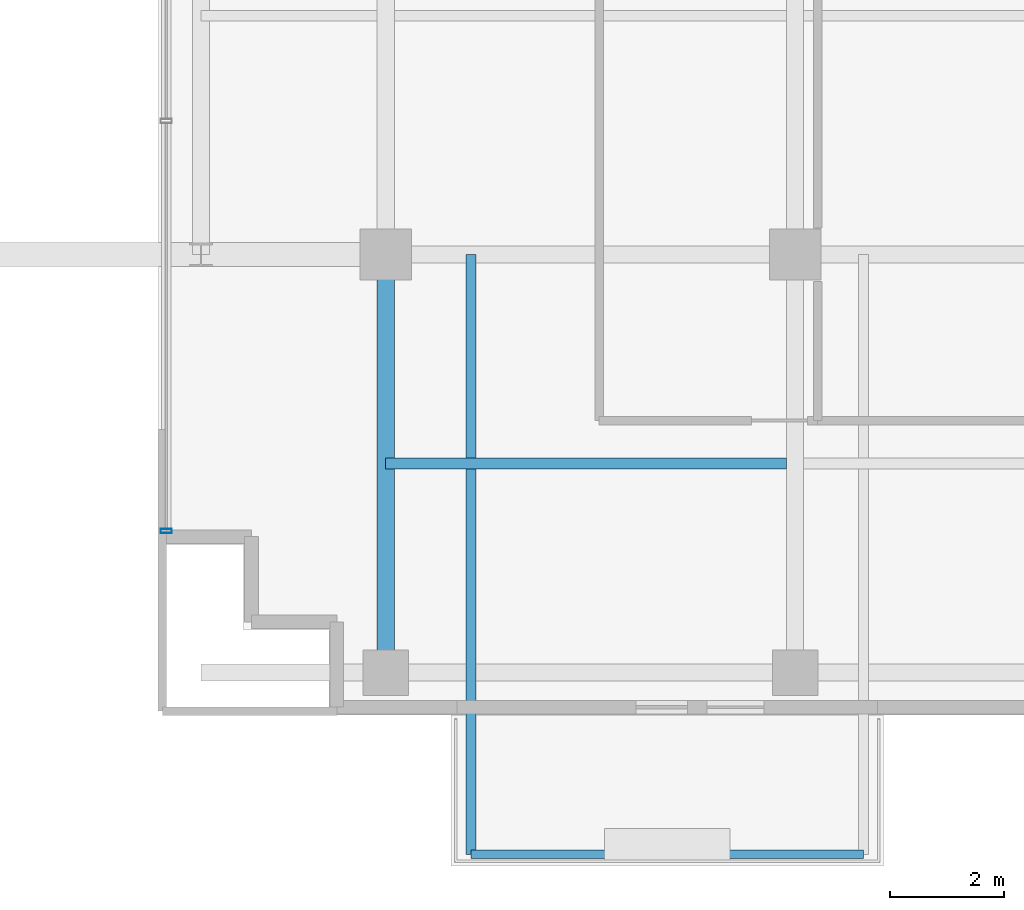
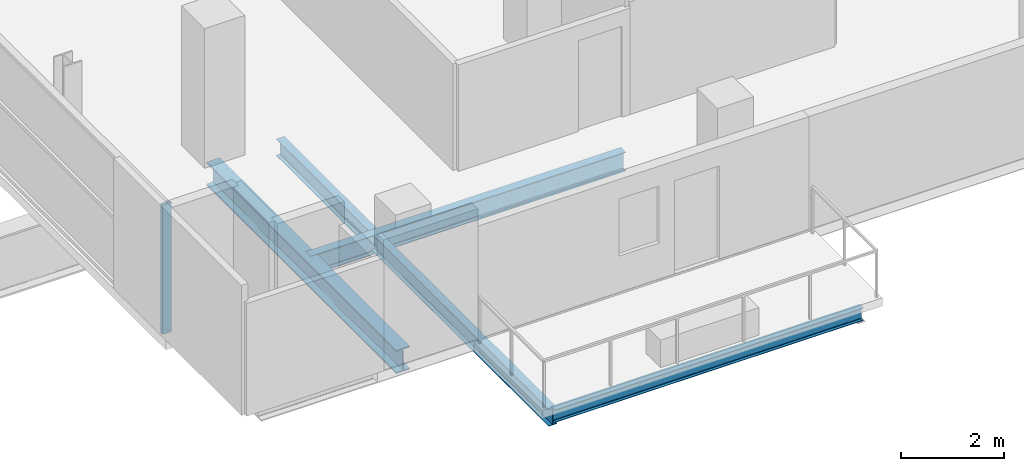
# One storey, part 2 of 27: 4 beams, 1 member, 1 element without a shape of its own.
"""IFC4 building model written with IfcOpenShell, lengths in metres."""

from ifc_helpers import new_model, si_unit, direction, frame, origin, origin_2d, place, context, subcontext, project, spatial, hollow_rectangle, i_section, extrude, source, transform, mapped, material, layer, layer_set, material_profile, profile_set, type_object, element, aggregate, save


model = new_model("IFC4")

# Units and contexts
model_context = context("Model", 3, precision=1e-05, world=origin(), true_north=direction((0.0, 1.0)))
body_context = subcontext(model_context, "Body", "Model", "MODEL_VIEW")
ifc_project = project(units=[si_unit("LENGTHUNIT", "METRE"), si_unit("AREAUNIT", "SQUARE_METRE"), si_unit("VOLUMEUNIT", "CUBIC_METRE"), si_unit("PLANEANGLEUNIT", "RADIAN"), si_unit("MASSUNIT", "GRAM", prefix="KILO")], contexts=[model_context])

# Site, building, storey
site_placement = place(None, origin())
site = spatial("IfcSite", under=ifc_project, at=site_placement, CompositionType="ELEMENT")
building_placement = place(site_placement, origin())
building = spatial("IfcBuilding", under=site, at=building_placement, Name="Zarnakvel Exchange Tower", CompositionType="ELEMENT")
storey_placement = place(building_placement, frame((0.0, 0.0, 113.199951171875)))
storey = spatial("IfcBuildingStorey", under=building, at=storey_placement, Name="L31", CompositionType="ELEMENT", Elevation=113.199951171875)

# Beams
ifc_material_1 = material(Name="Steel S355", Category="steel")
ifc_material_profile_1 = material_profile(ifc_material_1, i_section(OverallWidth=0.18994140625, OverallDepth=0.449951171875, WebThickness=0.009521484375, FlangeThickness=0.0146484375, FilletRadius=0.02099609375, at=origin_2d()))
ifc_profile_set_1 = profile_set([ifc_material_profile_1], Name="Steel S355")
beam_type_1 = type_object("IfcBeamType", Name="B-05", PredefinedType="JOIST", material=ifc_profile_set_1)
beam_1_placement = place(storey_placement, frame((-21.60009765625, -13.27490234375, -0.449951171875), z_axis=(1.0, 0.0, 0.0), x_axis=(0.0, 1.0, 0.0)))
element("IfcBeam", 1, at=beam_1_placement, inside=storey, type_object=beam_type_1, Name="L31 Composite Floor Secondary Joist", PredefinedType="JOIST", context=body_context, shape_type="SweptSolid", body=[
    extrude(i_section(OverallWidth=0.18994140625, OverallDepth=0.449951171875, WebThickness=0.009521484375, FlangeThickness=0.0146484375, FilletRadius=0.02099609375, at=origin_2d()), origin(), (0.0, 0.0, 1.0), 7.050048828125),
])
ifc_material_profile_2 = material_profile(ifc_material_1, i_section(OverallWidth=0.179931640625, OverallDepth=0.39990234375, WebThickness=0.008544921875, FlangeThickness=0.013427734375, FilletRadius=0.02099609375, at=origin_2d()))
ifc_profile_set_2 = profile_set([ifc_material_profile_2], Name="Steel S355")
beam_type_2 = type_object("IfcBeamType", Name="B-06", PredefinedType="JOIST", material=ifc_profile_set_2)
beam_2_placement = place(storey_placement, frame((-20.10009765625, -9.60009765625, -0.425048828125), z_axis=(0.0, -1.0, 0.0), x_axis=(1.0, 0.0, 0.0)))
element("IfcBeam", 2, at=beam_2_placement, inside=storey, type_object=beam_type_2, Name="L31 Continuous Back-Spanned Balcony Beam W", PredefinedType="JOIST", context=body_context, shape_type="SweptSolid", body=[
    extrude(i_section(OverallWidth=0.179931640625, OverallDepth=0.39990234375, WebThickness=0.008544921875, FlangeThickness=0.013427734375, FilletRadius=0.02099609375, at=origin_2d()), origin(), (0.0, 0.0, 1.0), 10.5498046875),
])
ifc_material_profile_3 = material_profile(ifc_material_1, i_section(OverallWidth=0.14990234375, OverallDepth=0.300048828125, WebThickness=0.007080078125, FlangeThickness=0.0107421875, FilletRadius=0.014892578125, at=origin_2d()))
ifc_profile_set_3 = profile_set([ifc_material_profile_3], Name="Steel S355")
beam_type_3 = type_object("IfcBeamType", Name="B-08", PredefinedType="JOIST", material=ifc_profile_set_3)
beam_3_placement = place(storey_placement, frame((-20.10009765625, -20.14990234375, -0.375), z_axis=(1.0, 0.0, 0.0), x_axis=(0.0, 1.0, 0.0)))
element("IfcBeam", 3, at=beam_3_placement, inside=storey, type_object=beam_type_3, Name="L31 Balcony Edge Beam", PredefinedType="JOIST", context=body_context, shape_type="SweptSolid", body=[
    extrude(i_section(OverallWidth=0.14990234375, OverallDepth=0.300048828125, WebThickness=0.007080078125, FlangeThickness=0.0107421875, FilletRadius=0.014892578125, at=origin_2d()), origin(), (0.0, 0.0, 1.0), 6.900146484375),
])
ifc_material_profile_4 = material_profile(ifc_material_1, i_section(OverallWidth=0.300048828125, OverallDepth=0.550048828125, WebThickness=0.014892578125, FlangeThickness=0.029052734375, FilletRadius=0.027099609375, at=origin_2d()))
ifc_profile_set_4 = profile_set([ifc_material_profile_4], Name="Steel S355")
beam_type_4 = type_object("IfcBeamType", Name="G-05", PredefinedType="BEAM", material=ifc_profile_set_4)
beam_4_placement = place(storey_placement, frame((-21.60009765625, -16.949951171875, -0.5), z_axis=(0.0, 1.0, 0.0), x_axis=(-1.0, 0.0, 0.0)))
element("IfcBeam", 4, at=beam_4_placement, inside=storey, type_object=beam_type_4, Name="L31 Tower N-S Frame Beam", PredefinedType="BEAM", context=body_context, shape_type="SweptSolid", body=[
    extrude(i_section(OverallWidth=0.300048828125, OverallDepth=0.550048828125, WebThickness=0.014892578125, FlangeThickness=0.029052734375, FilletRadius=0.027099609375, at=origin_2d()), origin(), (0.0, 0.0, 1.0), 7.349853515625),
])

# Curtain wall, member
ifc_material_2 = material(Name="Architectural Bronze Anodised Aluminium", Category="aluminium")
ifc_layer = layer(ifc_material_2, 0.199951171875)
ifc_layer_set = layer_set([ifc_layer], Name="Architectural Bronze Anodised Aluminium")
curtain_wall_type = type_object("IfcCurtainWallType", Name="CW-04", PredefinedType="NOTDEFINED", material=ifc_layer_set)
curtain_wall_placement = place(storey_placement, origin())
curtain_wall = element("IfcCurtainWall", 5, at=curtain_wall_placement, inside=storey, type_object=curtain_wall_type, Name="L31 Curtain Wall CW-L31-W1 (CW-04)", PredefinedType="NOTDEFINED")
ifc_material_profile_5 = material_profile(ifc_material_2, hollow_rectangle(XDim=0.199951171875, YDim=0.074951171875, WallThickness=0.0048828125, at=origin_2d()))
ifc_profile_set_5 = profile_set([ifc_material_profile_5], Name="Architectural Bronze Anodised Aluminium")
member_type = type_object("IfcMemberType", Name="CWM-04", PredefinedType="MULLION", material=ifc_profile_set_5)
shared_shape = source(origin(), body_context, "Body", "SweptSolid", [
    extrude(hollow_rectangle(XDim=0.199951171875, YDim=0.074951171875, WallThickness=0.0048828125, at=origin_2d()), origin(), (0.0, 0.0, 1.0), 3.054931640625),
])
member_placement = place(storey_placement, frame((-25.4599609375, -14.46240234375, 0.0), z_axis=(0.0, 0.0, 1.0), x_axis=(-1.0, 0.0, 0.0)))
member = element("IfcMember", 6, at=member_placement, type_object=member_type, Name="CW-04 mullion 1", PredefinedType="MULLION", context=body_context, shape_type="MappedRepresentation", body=[
    mapped(shared_shape, transform((0.0, 0.0, 0.0), x_axis=(1.0, 0.0, 0.0), y_axis=(0.0, 1.0, 0.0), z_axis=(0.0, 0.0, 1.0), scale=1.0)),
])
aggregate(curtain_wall, [member])

save(model, "model.ifc")
